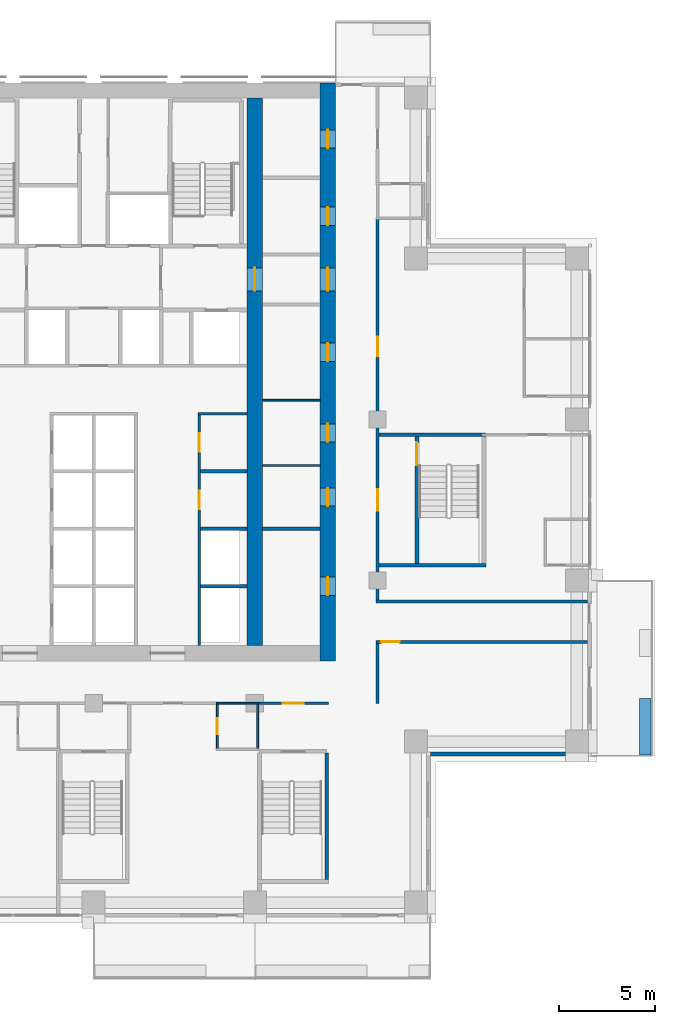
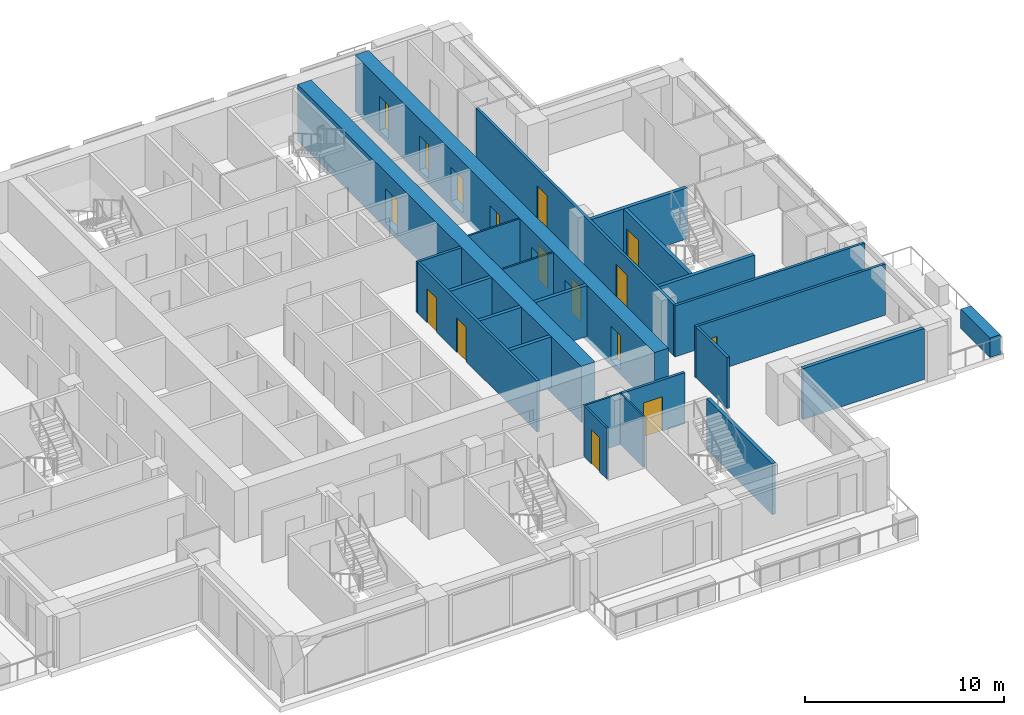
# One storey, part 11 of 18: 24 walls, 16 doors, 16 openings.
"""IFC4 building model written with IfcOpenShell, lengths in metres."""

import ifcopenshell
import ifcopenshell.guid

model = None  # the IFC model being written
_history = None  # IfcOwnerHistory: only IFC2X3 demands one
_inside = {}  # id of a spatial element -> (the spatial element, [elements in it])
_under = {}  # id of a project, library or spatial element -> (it, [spatial elements below it])
_declared = {}  # id of a project -> (the project, [libraries it declares])
_typed = {}  # id of a type object -> (the type object, [elements of that type])
_made_of = {}  # id of a material, layer set ... -> (it, [elements and type objects made of it])


def new_model(schema):
    """Start an empty IFC model of exactly this schema.

    Asked for "IFC4X3", IfcOpenShell would pick the latest addendum, in which some entities
    have other attributes; the version numbers below select the first issue.
    IFC2X3 requires an IfcOwnerHistory on every rooted entity: one is made here for all.
    """
    global model, _history
    if schema == "IFC4X3":
        model = ifcopenshell.file(schema_version=(4, 3, 0, 0))
    else:
        model = ifcopenshell.file(schema=schema)
    _inside.clear()
    _under.clear()
    _declared.clear()
    _typed.clear()
    _made_of.clear()
    _history = None
    if model.schema == "IFC2X3":
        org = make("IfcOrganization", Name="unknown")
        user = make(
            "IfcPersonAndOrganization",
            ThePerson=make("IfcPerson", FamilyName="unknown"),
            TheOrganization=org,
        )
        app = make(
            "IfcApplication",
            ApplicationDeveloper=org,
            Version="unknown",
            ApplicationFullName="unknown",
            ApplicationIdentifier="unknown",
        )
        _history = make(
            "IfcOwnerHistory",
            OwningUser=user,
            OwningApplication=app,
            ChangeAction="ADDED",
            CreationDate=0,
        )
    return model


def make(cls, **values):
    """One entity of the class cls with the attributes given. An attribute that is None is left unset."""
    return model.create_entity(
        cls, **{name: value for name, value in values.items() if value is not None}
    )


def rooted(cls, **values):
    """An entity with a GlobalId (a new one), such as an element, a storey or a relation."""
    return make(cls, GlobalId=ifcopenshell.guid.new(), OwnerHistory=_history, **values)


def si_unit(unit_type, name, prefix=None):
    """IfcSIUnit, for example si_unit("LENGTHUNIT", "METRE", prefix="MILLI")."""
    return make("IfcSIUnit", UnitType=unit_type, Prefix=prefix, Name=name)


def assignment(units):
    """IfcUnitAssignment: the units of a project."""
    return None if units is None else make("IfcUnitAssignment", Units=units)


def point(xyz):
    """IfcCartesianPoint."""
    return None if xyz is None else make("IfcCartesianPoint", Coordinates=xyz)


def direction(xyz):
    """IfcDirection."""
    return None if xyz is None else make("IfcDirection", DirectionRatios=xyz)


def frame(location, z_axis=None, x_axis=None):
    """IfcAxis2Placement3D, a coordinate frame: its origin and axes. An axis left out is left unset."""
    return make(
        "IfcAxis2Placement3D",
        Location=point(location),
        Axis=direction(z_axis),
        RefDirection=direction(x_axis),
    )


def frame_2d(location, x_axis=None):
    """IfcAxis2Placement2D, a coordinate frame in the plane: its origin and x axis."""
    return make(
        "IfcAxis2Placement2D", Location=point(location), RefDirection=direction(x_axis)
    )


def origin():
    """The frame at (0, 0, 0) with its axes left unset."""
    return frame((0.0, 0.0, 0.0))


def place(relative_to, where):
    """IfcLocalPlacement: puts the frame where relative to a parent placement (None: the world)."""
    return make(
        "IfcLocalPlacement", PlacementRelTo=relative_to, RelativePlacement=where
    )


def context(
    kind, dimensions, precision=None, world=None, true_north=None, identifier=None
):
    """IfcGeometricRepresentationContext, for example the 3D "Model" context."""
    return make(
        "IfcGeometricRepresentationContext",
        ContextIdentifier=identifier,
        ContextType=kind,
        CoordinateSpaceDimension=dimensions,
        Precision=precision,
        WorldCoordinateSystem=world,
        TrueNorth=true_north,
    )


def subcontext(parent, identifier, kind, view, scale=None):
    """IfcGeometricRepresentationSubContext, for example "Body" below "Model"."""
    return make(
        "IfcGeometricRepresentationSubContext",
        ContextIdentifier=identifier,
        ContextType=kind,
        ParentContext=parent,
        TargetScale=scale,
        TargetView=view,
    )


def project(units=None, contexts=None):
    """IfcProject with its units and contexts."""
    return rooted(
        "IfcProject",
        Name="project",
        RepresentationContexts=contexts,
        UnitsInContext=assignment(units),
    )


def spatial(cls, under=None, at=None, **own):
    """A site, building, storey or space (cls), placed at a placement, below another one or the project."""
    s = rooted(cls, ObjectPlacement=at, **own)
    if under is not None:
        _under.setdefault(under.id(), (under, []))[1].append(s)
    return s


def profile(cls, at=None, kind="AREA", **sizes):
    """A parametric profile (cls). Its sizes go by their IFC names, for example OverallWidth=200.0."""
    return make(cls, ProfileType=kind, Position=at, **sizes)


def rectangle(**sizes):
    """IfcRectangleProfileDef."""
    return profile("IfcRectangleProfileDef", **sizes)


def extrude(swept, where, along, depth):
    """IfcExtrudedAreaSolid: the profile swept, set in the frame where, extruded along a direction by depth."""
    return make(
        "IfcExtrudedAreaSolid",
        SweptArea=swept,
        Position=where,
        ExtrudedDirection=direction(along),
        Depth=depth,
    )


def shape(context_of_items, identifier, shape_type, items):
    """IfcShapeRepresentation: the items that make up one representation, for example the "Body"."""
    return make(
        "IfcShapeRepresentation",
        ContextOfItems=context_of_items,
        RepresentationIdentifier=identifier,
        RepresentationType=shape_type,
        Items=items,
    )


def material(Name=None, Category=None):
    """IfcMaterial."""
    return make("IfcMaterial", Name=Name, Category=Category)


def layer(
    of_material, thickness, ventilated=None, Name=None, Category=None, Priority=None
):
    """IfcMaterialLayer: one layer of a wall or slab, of a material (None: an air gap)."""
    return make(
        "IfcMaterialLayer",
        Material=of_material,
        LayerThickness=thickness,
        IsVentilated=ventilated,
        Name=Name,
        Category=Category,
        Priority=Priority,
    )


def layer_set(layers, Name=None):
    """IfcMaterialLayerSet."""
    return make("IfcMaterialLayerSet", MaterialLayers=layers, LayerSetName=Name)


def made_of(thing, what):
    """Note that an element or type object is made of a material, layer set ...; save() writes the relation."""
    if what is not None:
        _made_of.setdefault(what.id(), (what, []))[1].append(thing)
    return thing


def type_object(cls, material=None, **own):
    """A type object (cls), such as IfcWallType, which elements share."""
    return made_of(rooted(cls, **own), material)


def element(
    cls,
    number,
    at=None,
    inside=None,
    cuts=None,
    type_object=None,
    material=None,
    context=None,
    identifier="Body",
    shape_type=None,
    held_by="IfcProductDefinitionShape",
    body=None,
    shapes=None,
    **own,
):
    """One element of the class cls, such as IfcWall. Its Tag is "e" and its number.

    at: its placement. inside: the storey or other place that contains it. cuts: it is an
    opening in that element (IfcRelVoidsElement). A single representation is given by context,
    identifier, shape_type and body (its items); several are given by shapes. held_by: the class
    of the entity that holds the representations. save() writes the other relations.
    """
    e = rooted(cls, Tag="e%d" % number, ObjectPlacement=at, **own)
    if body is not None:
        shapes = [shape(context, identifier, shape_type, body)]
    if shapes is not None:
        e.Representation = make(held_by, Representations=shapes)
    if inside is not None:
        _inside.setdefault(inside.id(), (inside, []))[1].append(e)
    if cuts is not None:
        rooted(
            "IfcRelVoidsElement", RelatingBuildingElement=cuts, RelatedOpeningElement=e
        )
    if type_object is not None:
        _typed.setdefault(type_object.id(), (type_object, []))[1].append(e)
    return made_of(e, material)


def fill(opening, filler):
    """IfcRelFillsElement: the door or window that sits in an opening."""
    return rooted(
        "IfcRelFillsElement",
        RelatingOpeningElement=opening,
        RelatedBuildingElement=filler,
    )


def aggregate(whole, parts):
    """IfcRelAggregates: a whole, such as a stair, and the parts it consists of."""
    return rooted("IfcRelAggregates", RelatingObject=whole, RelatedObjects=parts)


def save(model, path):
    """Write the relations noted so far, then the file.

    IfcRelAggregates (storeys below a building ...), IfcRelContainedInSpatialStructure (elements
    in a storey), IfcRelDefinesByType, IfcRelAssociatesMaterial and IfcRelDeclares: one each for
    every whole, place, type object, material and project.
    """
    for whole, parts in _under.values():
        aggregate(whole, parts)
    for where, things in _inside.values():
        rooted(
            "IfcRelContainedInSpatialStructure",
            RelatedElements=things,
            RelatingStructure=where,
        )
    for kind, things in _typed.values():
        rooted("IfcRelDefinesByType", RelatedObjects=things, RelatingType=kind)
    for what, things in _made_of.values():
        rooted("IfcRelAssociatesMaterial", RelatedObjects=things, RelatingMaterial=what)
    for by, libraries in _declared.values():
        rooted("IfcRelDeclares", RelatingContext=by, RelatedDefinitions=libraries)
    model.write(path)


model = new_model("IFC4")

# Units and contexts
model_context = context("Model", 3, precision=1e-05, world=origin(), true_north=direction((0.0, 1.0)))
body_context = subcontext(model_context, "Body", "Model", "MODEL_VIEW")
ifc_project = project(units=[si_unit("LENGTHUNIT", "METRE"), si_unit("AREAUNIT", "SQUARE_METRE"), si_unit("VOLUMEUNIT", "CUBIC_METRE"), si_unit("PLANEANGLEUNIT", "RADIAN"), si_unit("MASSUNIT", "GRAM", prefix="KILO")], contexts=[model_context])

# Site, building, storey
site_placement = place(None, origin())
site = spatial("IfcSite", under=ifc_project, at=site_placement, CompositionType="ELEMENT")
building_placement = place(site_placement, origin())
building = spatial("IfcBuilding", under=site, at=building_placement, Name="Vermilion Ogive Tower", CompositionType="ELEMENT")
storey_placement = place(building_placement, frame((0.0, 0.0, 94.199951171875)))
storey = spatial("IfcBuildingStorey", under=building, at=storey_placement, Name="L23", CompositionType="ELEMENT", Elevation=94.199951171875)

# Wall, openings, doors
ifc_material_1 = material(Name="Concrete B80", Category="concrete")
ifc_layer_1 = layer(ifc_material_1, 0.800048828125)
ifc_layer_set_1 = layer_set([ifc_layer_1], Name="Core wall 800 B80")
wall_type_1 = type_object("IfcWallType", Name="Core wall 800 B80", PredefinedType="SHEAR", material=ifc_layer_set_1)
wall_1_placement = place(storey_placement, frame((12.199951171875, -8.39990234375, -0.320068359375), z_axis=(0.0, 0.0, 1.0), x_axis=(0.0, 1.0, 0.0)))
wall_1 = element("IfcWall", 1, at=wall_1_placement, inside=storey, type_object=wall_type_1, Name="L23-CORE-E", PredefinedType="SHEAR", context=body_context, shape_type="SweptSolid", body=[
    extrude(rectangle(XDim=30.14990234375, YDim=0.800048828125, at=frame_2d((15.074951171875, 0.0))), origin(), (0.0, 0.0, 1.0), 3.4501953125),
])
opening_1_placement = place(wall_1_placement, frame((3.425048828125, 0.0, 0.320068359375)))
opening_1 = element("IfcOpeningElement", 2, at=opening_1_placement, cuts=wall_1, Name="Opening DAC039", PredefinedType="OPENING", context=body_context, shape_type="SweptSolid", body=[
    extrude(rectangle(XDim=0.949951171875, YDim=2.10009765625, at=frame_2d((0.47509765625, 1.050048828125))), frame((0.0, 0.409912109375, 0.0), z_axis=(0.0, -1.0, 0.0), x_axis=(1.0, 0.0, 0.0)), (0.0, 0.0, 1.0), 0.820068359375),
])
opening_2_placement = place(wall_1_placement, frame((8.074951171875, 0.0, 0.320068359375)))
opening_2 = element("IfcOpeningElement", 3, at=opening_2_placement, cuts=wall_1, Name="Opening DAC040", PredefinedType="OPENING", context=body_context, shape_type="SweptSolid", body=[
    extrude(rectangle(XDim=0.949951171875, YDim=2.10009765625, at=frame_2d((0.47509765625, 1.050048828125))), frame((0.0, 0.409912109375, 0.0), z_axis=(0.0, -1.0, 0.0), x_axis=(1.0, 0.0, 0.0)), (0.0, 0.0, 1.0), 0.820068359375),
])
opening_3_placement = place(wall_1_placement, frame((11.425048828125, 0.0, 0.320068359375)))
opening_3 = element("IfcOpeningElement", 4, at=opening_3_placement, cuts=wall_1, Name="Opening DAC041", PredefinedType="OPENING", context=body_context, shape_type="SweptSolid", body=[
    extrude(rectangle(XDim=0.949951171875, YDim=2.10009765625, at=frame_2d((0.47509765625, 1.050048828125))), frame((0.0, 0.409912109375, 0.0), z_axis=(0.0, -1.0, 0.0), x_axis=(1.0, 0.0, 0.0)), (0.0, 0.0, 1.0), 0.820068359375),
])
opening_4_placement = place(wall_1_placement, frame((15.625, 0.0, 0.320068359375)))
opening_4 = element("IfcOpeningElement", 5, at=opening_4_placement, cuts=wall_1, Name="Opening DAC042", PredefinedType="OPENING", context=body_context, shape_type="SweptSolid", body=[
    extrude(rectangle(XDim=0.949951171875, YDim=2.10009765625, at=frame_2d((0.47509765625, 1.050048828125))), frame((0.0, 0.409912109375, 0.0), z_axis=(0.0, -1.0, 0.0), x_axis=(1.0, 0.0, 0.0)), (0.0, 0.0, 1.0), 0.820068359375),
])
opening_5_placement = place(wall_1_placement, frame((22.72509765625, 0.0, 0.320068359375)))
opening_5 = element("IfcOpeningElement", 6, at=opening_5_placement, cuts=wall_1, Name="Opening DAC043", PredefinedType="OPENING", context=body_context, shape_type="SweptSolid", body=[
    extrude(rectangle(XDim=0.949951171875, YDim=2.10009765625, at=frame_2d((0.47509765625, 1.050048828125))), frame((0.0, 0.409912109375, 0.0), z_axis=(0.0, -1.0, 0.0), x_axis=(1.0, 0.0, 0.0)), (0.0, 0.0, 1.0), 0.820068359375),
])
opening_6_placement = place(wall_1_placement, frame((26.75, 0.0, 0.320068359375)))
opening_6 = element("IfcOpeningElement", 7, at=opening_6_placement, cuts=wall_1, Name="Opening DAC044", PredefinedType="OPENING", context=body_context, shape_type="SweptSolid", body=[
    extrude(rectangle(XDim=0.949951171875, YDim=2.10009765625, at=frame_2d((0.47509765625, 1.050048828125))), frame((0.0, 0.409912109375, 0.0), z_axis=(0.0, -1.0, 0.0), x_axis=(1.0, 0.0, 0.0)), (0.0, 0.0, 1.0), 0.820068359375),
])
opening_7_placement = place(wall_1_placement, frame((19.300048828125, 0.0, 0.320068359375)))
opening_7 = element("IfcOpeningElement", 8, at=opening_7_placement, cuts=wall_1, Name="Opening DAL008", PredefinedType="OPENING", context=body_context, shape_type="SweptSolid", body=[
    extrude(rectangle(XDim=1.199951171875, YDim=2.10009765625, at=frame_2d((0.60009765625, 1.050048828125))), frame((0.0, 0.409912109375, 0.0), z_axis=(0.0, -1.0, 0.0), x_axis=(1.0, 0.0, 0.0)), (0.0, 0.0, 1.0), 0.820068359375),
])
ifc_material_2 = material(Name="Timber door leaf", Category="wood")
door_type_1 = type_object("IfcDoorType", Name="Link door 1200 x 2100 FD60S", OperationType="SINGLE_SWING_LEFT", PredefinedType="DOOR", material=ifc_material_2)
door_1_placement = place(opening_7_placement, origin())
door_1 = element("IfcDoor", 9, at=door_1_placement, inside=storey, type_object=door_type_1, Name="L23-CKE-XL", OperationType="SINGLE_SWING_LEFT", OverallHeight=2.10009765625, OverallWidth=1.199951171875, PredefinedType="DOOR", context=body_context, shape_type="SweptSolid", body=[
    extrude(rectangle(XDim=1.199951171875, YDim=2.10009765625, at=frame_2d((0.60009765625, 1.050048828125))), frame((0.0, 0.02490234375, 0.0), z_axis=(0.0, -1.0, 0.0), x_axis=(1.0, 0.0, 0.0)), (0.0, 0.0, 1.0), 0.050048828125),
])
fill(opening_7, door_1)
ifc_material_3 = material(Name="Timber door leaf", Category="wood")
door_type_2 = type_object("IfcDoorType", Name="Service door 950 x 2100 FD60", OperationType="SINGLE_SWING_LEFT", PredefinedType="DOOR", material=ifc_material_3)
door_2_placement = place(opening_1_placement, origin())
door_2 = element("IfcDoor", 10, at=door_2_placement, inside=storey, type_object=door_type_2, Name="L23-CKE-XR0", OperationType="SINGLE_SWING_LEFT", OverallHeight=2.10009765625, OverallWidth=0.949951171875, PredefinedType="DOOR", context=body_context, shape_type="SweptSolid", body=[
    extrude(rectangle(XDim=0.949951171875, YDim=2.10009765625, at=frame_2d((0.47509765625, 1.050048828125))), frame((0.0, 0.02490234375, 0.0), z_axis=(0.0, -1.0, 0.0), x_axis=(1.0, 0.0, 0.0)), (0.0, 0.0, 1.0), 0.050048828125),
])
fill(opening_1, door_2)
door_3_placement = place(opening_2_placement, origin())
door_3 = element("IfcDoor", 11, at=door_3_placement, inside=storey, type_object=door_type_2, Name="L23-CKE-XR1", OperationType="SINGLE_SWING_LEFT", OverallHeight=2.10009765625, OverallWidth=0.949951171875, PredefinedType="DOOR", context=body_context, shape_type="SweptSolid", body=[
    extrude(rectangle(XDim=0.949951171875, YDim=2.10009765625, at=frame_2d((0.47509765625, 1.050048828125))), frame((0.0, 0.02490234375, 0.0), z_axis=(0.0, -1.0, 0.0), x_axis=(1.0, 0.0, 0.0)), (0.0, 0.0, 1.0), 0.050048828125),
])
fill(opening_2, door_3)
door_4_placement = place(opening_3_placement, origin())
door_4 = element("IfcDoor", 12, at=door_4_placement, inside=storey, type_object=door_type_2, Name="L23-CKE-XR2", OperationType="SINGLE_SWING_LEFT", OverallHeight=2.10009765625, OverallWidth=0.949951171875, PredefinedType="DOOR", context=body_context, shape_type="SweptSolid", body=[
    extrude(rectangle(XDim=0.949951171875, YDim=2.10009765625, at=frame_2d((0.47509765625, 1.050048828125))), frame((0.0, 0.02490234375, 0.0), z_axis=(0.0, -1.0, 0.0), x_axis=(1.0, 0.0, 0.0)), (0.0, 0.0, 1.0), 0.050048828125),
])
fill(opening_3, door_4)
door_5_placement = place(opening_4_placement, origin())
door_5 = element("IfcDoor", 13, at=door_5_placement, inside=storey, type_object=door_type_2, Name="L23-CKE-XR3", OperationType="SINGLE_SWING_LEFT", OverallHeight=2.10009765625, OverallWidth=0.949951171875, PredefinedType="DOOR", context=body_context, shape_type="SweptSolid", body=[
    extrude(rectangle(XDim=0.949951171875, YDim=2.10009765625, at=frame_2d((0.47509765625, 1.050048828125))), frame((0.0, 0.02490234375, 0.0), z_axis=(0.0, -1.0, 0.0), x_axis=(1.0, 0.0, 0.0)), (0.0, 0.0, 1.0), 0.050048828125),
])
fill(opening_4, door_5)
door_6_placement = place(opening_5_placement, origin())
door_6 = element("IfcDoor", 14, at=door_6_placement, inside=storey, type_object=door_type_2, Name="L23-CKE-XR4", OperationType="SINGLE_SWING_LEFT", OverallHeight=2.10009765625, OverallWidth=0.949951171875, PredefinedType="DOOR", context=body_context, shape_type="SweptSolid", body=[
    extrude(rectangle(XDim=0.949951171875, YDim=2.10009765625, at=frame_2d((0.47509765625, 1.050048828125))), frame((0.0, 0.02490234375, 0.0), z_axis=(0.0, -1.0, 0.0), x_axis=(1.0, 0.0, 0.0)), (0.0, 0.0, 1.0), 0.050048828125),
])
fill(opening_5, door_6)
door_7_placement = place(opening_6_placement, origin())
door_7 = element("IfcDoor", 15, at=door_7_placement, inside=storey, type_object=door_type_2, Name="L23-CKE-XR5", OperationType="SINGLE_SWING_LEFT", OverallHeight=2.10009765625, OverallWidth=0.949951171875, PredefinedType="DOOR", context=body_context, shape_type="SweptSolid", body=[
    extrude(rectangle(XDim=0.949951171875, YDim=2.10009765625, at=frame_2d((0.47509765625, 1.050048828125))), frame((0.0, 0.02490234375, 0.0), z_axis=(0.0, -1.0, 0.0), x_axis=(1.0, 0.0, 0.0)), (0.0, 0.0, 1.0), 0.050048828125),
])
fill(opening_6, door_7)

# Wall, opening, door
wall_2_placement = place(storey_placement, frame((8.39990234375, -7.60009765625, -0.320068359375), z_axis=(0.0, 0.0, 1.0), x_axis=(0.0, 1.0, 0.0)))
wall_2 = element("IfcWall", 16, at=wall_2_placement, inside=storey, type_object=wall_type_1, Name="L23-CORE-WEB2", PredefinedType="SHEAR", context=body_context, shape_type="SweptSolid", body=[
    extrude(rectangle(XDim=28.550048828125, YDim=0.800048828125, at=frame_2d((14.27490234375, 0.0))), origin(), (0.0, 0.0, 1.0), 3.4501953125),
])
opening_8_placement = place(wall_2_placement, frame((18.5, 0.0, 0.320068359375)))
opening_8 = element("IfcOpeningElement", 17, at=opening_8_placement, cuts=wall_2, Name="Opening DAO008", PredefinedType="OPENING", context=body_context, shape_type="SweptSolid", body=[
    extrude(rectangle(XDim=1.199951171875, YDim=2.10009765625, at=frame_2d((0.60009765625, 1.050048828125))), frame((0.0, 0.409912109375, 0.0), z_axis=(0.0, -1.0, 0.0), x_axis=(1.0, 0.0, 0.0)), (0.0, 0.0, 1.0), 0.820068359375),
])
door_8_placement = place(opening_8_placement, origin())
door_8 = element("IfcDoor", 18, at=door_8_placement, inside=storey, type_object=door_type_1, Name="L23-CKE-XW", OperationType="SINGLE_SWING_LEFT", OverallHeight=2.10009765625, OverallWidth=1.199951171875, PredefinedType="DOOR", context=body_context, shape_type="SweptSolid", body=[
    extrude(rectangle(XDim=1.199951171875, YDim=2.10009765625, at=frame_2d((0.60009765625, 1.050048828125))), frame((0.0, 0.02490234375, 0.0), z_axis=(0.0, -1.0, 0.0), x_axis=(1.0, 0.0, 0.0)), (0.0, 0.0, 1.0), 0.050048828125),
])
fill(opening_8, door_8)

# Wall
ifc_material_4 = material(Name="Gypsum board partition on steel studs", Category="steel")
ifc_layer_2 = layer(ifc_material_4, 0.10009765625)
ifc_layer_set_2 = layer_set([ifc_layer_2], Name="Partition 100 bath")
wall_type_2 = type_object("IfcWallType", Name="Partition 100 bath", PredefinedType="PARTITIONING", material=ifc_layer_set_2)
wall_3_placement = place(storey_placement, frame((6.39990234375, -10.60009765625, 0.0), z_axis=(0.0, 0.0, 1.0), x_axis=(1.0, 0.0, 0.0)))
element("IfcWall", 19, at=wall_3_placement, inside=storey, type_object=wall_type_2, Name="L23-W-W011", PredefinedType="PARTITIONING", context=body_context, shape_type="SweptSolid", body=[
    extrude(rectangle(XDim=2.2001953125, YDim=0.10009765625, at=frame_2d((1.10009765625, 0.0))), origin(), (0.0, 0.0, 1.0), 3.130126953125),
])

# Wall, opening, door
wall_4_placement = place(storey_placement, frame((6.449951171875, -12.949951171875, 0.0), z_axis=(0.0, 0.0, 1.0), x_axis=(0.0, 1.0, 0.0)))
wall_4 = element("IfcWall", 20, at=wall_4_placement, inside=storey, type_object=wall_type_2, Name="L23-W-W055", PredefinedType="PARTITIONING", context=body_context, shape_type="SweptSolid", body=[
    extrude(rectangle(XDim=2.27490234375, YDim=0.10009765625, at=frame_2d((1.137451171875, 0.0))), origin(), (0.0, 0.0, 1.0), 3.130126953125),
])
opening_9_placement = place(wall_4_placement, frame((0.724853515625, 0.0, 0.0)))
opening_9 = element("IfcOpeningElement", 21, at=opening_9_placement, cuts=wall_4, Name="Opening D2G2013", PredefinedType="OPENING", context=body_context, shape_type="SweptSolid", body=[
    extrude(rectangle(XDim=0.85009765625, YDim=2.10009765625, at=frame_2d((0.425048828125, 1.050048828125))), frame((0.0, 0.06005859375, 0.0), z_axis=(0.0, -1.0, 0.0), x_axis=(1.0, 0.0, 0.0)), (0.0, 0.0, 1.0), 0.1201171875),
])
ifc_material_5 = material(Name="Timber door leaf", Category="wood")
door_type_3 = type_object("IfcDoorType", Name="Bath door 850 x 2100 FD30", OperationType="SINGLE_SWING_LEFT", PredefinedType="DOOR", material=ifc_material_5)
door_9_placement = place(opening_9_placement, origin())
door_9 = element("IfcDoor", 22, at=door_9_placement, inside=storey, type_object=door_type_3, Name="L23-D-D013", OperationType="SINGLE_SWING_RIGHT", OverallHeight=2.10009765625, OverallWidth=0.85009765625, PredefinedType="DOOR", context=body_context, shape_type="SweptSolid", body=[
    extrude(rectangle(XDim=0.85009765625, YDim=2.10009765625, at=frame_2d((0.425048828125, 1.050048828125))), frame((0.0, 0.02490234375, 0.0), z_axis=(0.0, -1.0, 0.0), x_axis=(1.0, 0.0, 0.0)), (0.0, 0.0, 1.0), 0.050048828125),
])
fill(opening_9, door_9)

# Walls
wall_5_placement = place(storey_placement, frame((8.550048828125, -12.949951171875, 0.0), z_axis=(0.0, 0.0, 1.0), x_axis=(0.0, 1.0, 0.0)))
element("IfcWall", 23, at=wall_5_placement, inside=storey, type_object=wall_type_2, Name="L23-W-W056", PredefinedType="PARTITIONING", context=body_context, shape_type="SweptSolid", body=[
    extrude(rectangle(XDim=2.27490234375, YDim=0.10009765625, at=frame_2d((1.137451171875, 0.0))), origin(), (0.0, 0.0, 1.0), 3.130126953125),
])
for number, where, z_axis, x_axis, name in (
    (24, (8.801025390625, 1.800048828125, 0.0), (0.0, 0.0, 1.0), (1.0, 0.0, 0.0), "L23-CKE-W-W002"),
    (25, (8.801025390625, 5.199951171875, 0.0), (0.0, 0.0, 1.0), (1.0, 0.0, 0.0), "L23-CKE-W-W003"),
):
    element("IfcWall", number, at=place(storey_placement, frame(where, z_axis=z_axis, x_axis=x_axis)), inside=storey, type_object=wall_type_2, Name=name, PredefinedType="PARTITIONING", context=body_context, shape_type="SweptSolid", body=[
        extrude(rectangle(XDim=2.998046875, YDim=0.10009765625, at=frame_2d((1.4990234375, 0.0))), origin(), (0.0, 0.0, 1.0), 3.130126953125),
    ])

# Wall, opening, door
ifc_material_6 = material(Name="Gypsum board partition on steel studs", Category="steel")
ifc_layer_3 = layer(ifc_material_6, 0.14990234375)
ifc_layer_set_3 = layer_set([ifc_layer_3], Name="Partition 150 corridor")
wall_type_3 = type_object("IfcWallType", Name="Partition 150 corridor", PredefinedType="PARTITIONING", material=ifc_layer_set_3)
wall_6_placement = place(storey_placement, frame((8.5, -10.60009765625, 0.0), z_axis=(0.0, 0.0, 1.0), x_axis=(1.0, 0.0, 0.0)))
wall_6 = element("IfcWall", 26, at=wall_6_placement, inside=storey, type_object=wall_type_3, Name="L23-W-W012", PredefinedType="PARTITIONING", context=body_context, shape_type="SweptSolid", body=[
    extrude(rectangle(XDim=3.75, YDim=0.14990234375, at=frame_2d((1.875, 0.0))), origin(), (0.0, 0.0, 1.0), 3.130126953125),
])
opening_10_placement = place(wall_6_placement, frame((1.35009765625, 0.0, 0.0)))
opening_10 = element("IfcOpeningElement", 27, at=opening_10_placement, cuts=wall_6, Name="Opening D2G2026", PredefinedType="OPENING", context=body_context, shape_type="SweptSolid", body=[
    extrude(rectangle(XDim=1.10009765625, YDim=2.10009765625, at=frame_2d((0.550048828125, 1.050048828125))), frame((0.0, 0.0849609375, 0.0), z_axis=(0.0, -1.0, 0.0), x_axis=(1.0, 0.0, 0.0)), (0.0, 0.0, 1.0), 0.169921875),
])
ifc_material_7 = material(Name="Timber door leaf", Category="wood")
door_type_4 = type_object("IfcDoorType", Name="Stair door 1100 x 2100 FD60S", OperationType="SINGLE_SWING_LEFT", PredefinedType="DOOR", material=ifc_material_7)
door_10_placement = place(opening_10_placement, origin())
door_10 = element("IfcDoor", 28, at=door_10_placement, inside=storey, type_object=door_type_4, Name="L23-D-D026", OperationType="SINGLE_SWING_RIGHT", OverallHeight=2.10009765625, OverallWidth=1.10009765625, PredefinedType="DOOR", context=body_context, shape_type="SweptSolid", body=[
    extrude(rectangle(XDim=1.10009765625, YDim=2.10009765625, at=frame_2d((0.550048828125, 1.050048828125))), frame((0.0, 0.02490234375, 0.0), z_axis=(0.0, -1.0, 0.0), x_axis=(1.0, 0.0, 0.0)), (0.0, 0.0, 1.0), 0.050048828125),
])
fill(opening_10, door_10)

wall_7_placement = place(storey_placement, frame((14.72509765625, -7.39990234375, 0.0), z_axis=(0.0, 0.0, 1.0), x_axis=(1.0, 0.0, 0.0)))
wall_7 = element("IfcWall", 29, at=wall_7_placement, inside=storey, type_object=wall_type_3, Name="L23-W-W014", PredefinedType="PARTITIONING", context=body_context, shape_type="SweptSolid", body=[
    extrude(rectangle(XDim=11.02490234375, YDim=0.14990234375, at=frame_2d((5.512451171875, 0.0))), origin(), (0.0, 0.0, 1.0), 3.130126953125),
])
opening_11_placement = place(wall_7_placement, frame((0.27490234375, 0.0, 0.0)))
opening_11 = element("IfcOpeningElement", 30, at=opening_11_placement, cuts=wall_7, Name="Opening D2G2014", PredefinedType="OPENING", context=body_context, shape_type="SweptSolid", body=[
    extrude(rectangle(XDim=0.949951171875, YDim=2.10009765625, at=frame_2d((0.47509765625, 1.050048828125))), frame((0.0, 0.0849609375, 0.0), z_axis=(0.0, -1.0, 0.0), x_axis=(1.0, 0.0, 0.0)), (0.0, 0.0, 1.0), 0.169921875),
])
ifc_material_8 = material(Name="Timber door leaf", Category="wood")
door_type_5 = type_object("IfcDoorType", Name="Unit door 950 x 2100 FD30S", OperationType="SINGLE_SWING_LEFT", PredefinedType="DOOR", material=ifc_material_8)
door_11_placement = place(opening_11_placement, origin())
door_11 = element("IfcDoor", 31, at=door_11_placement, inside=storey, type_object=door_type_5, Name="L23-D-D014", OperationType="SINGLE_SWING_RIGHT", OverallHeight=2.10009765625, OverallWidth=0.949951171875, PredefinedType="DOOR", context=body_context, shape_type="SweptSolid", body=[
    extrude(rectangle(XDim=0.949951171875, YDim=2.10009765625, at=frame_2d((0.47509765625, 1.050048828125))), frame((0.0, 0.02490234375, 0.0), z_axis=(0.0, -1.0, 0.0), x_axis=(1.0, 0.0, 0.0)), (0.0, 0.0, 1.0), 0.050048828125),
])
fill(opening_11, door_11)

# Walls
wall_8_placement = place(storey_placement, frame((14.72705078125, -5.300048828125, 0.0), z_axis=(0.0, 0.0, 1.0), x_axis=(1.0, 0.0, 0.0)))
element("IfcWall", 32, at=wall_8_placement, inside=storey, type_object=wall_type_3, Name="L23-W-W016", PredefinedType="PARTITIONING", context=body_context, shape_type="SweptSolid", body=[
    extrude(rectangle(XDim=11.02294921875, YDim=0.14990234375, at=frame_2d((5.511474609375, 0.0))), origin(), (0.0, 0.0, 1.0), 3.130126953125),
])
wall_9_placement = place(storey_placement, frame((14.800048828125, -10.60009765625, 0.0), z_axis=(0.0, 0.0, 1.0), x_axis=(0.0, 1.0, 0.0)))
element("IfcWall", 33, at=wall_9_placement, inside=storey, type_object=wall_type_3, Name="L23-W-W057", PredefinedType="PARTITIONING", context=body_context, shape_type="SweptSolid", body=[
    extrude(rectangle(XDim=3.125, YDim=0.14990234375, at=frame_2d((1.5625, 0.0))), origin(), (0.0, 0.0, 1.0), 3.130126953125),
])

# Wall, openings, doors
wall_10_placement = place(storey_placement, frame((14.800048828125, -5.222900390625, 0.0), z_axis=(0.0, 0.0, 1.0), x_axis=(0.0, 1.0, 0.0)))
wall_10 = element("IfcWall", 34, at=wall_10_placement, inside=storey, type_object=wall_type_3, Name="L23-W-W058", PredefinedType="PARTITIONING", context=body_context, shape_type="SweptSolid", body=[
    extrude(rectangle(XDim=19.872802734375, YDim=0.14990234375, at=frame_2d((9.9365234375, 0.0))), origin(), (0.0, 0.0, 1.0), 3.130126953125),
])
opening_12_placement = place(wall_10_placement, frame((12.722900390625, 0.0, 0.0)))
opening_12 = element("IfcOpeningElement", 35, at=opening_12_placement, cuts=wall_10, Name="Opening D2G2017", PredefinedType="OPENING", context=body_context, shape_type="SweptSolid", body=[
    extrude(rectangle(XDim=1.0, YDim=2.10009765625, at=frame_2d((0.5, 1.050048828125))), frame((0.0, 0.0849609375, 0.0), z_axis=(0.0, -1.0, 0.0), x_axis=(1.0, 0.0, 0.0)), (0.0, 0.0, 1.0), 0.169921875),
])
opening_13_placement = place(wall_10_placement, frame((4.6728515625, 0.0, 0.0)))
opening_13 = element("IfcOpeningElement", 36, at=opening_13_placement, cuts=wall_10, Name="Opening D2G2028", PredefinedType="OPENING", context=body_context, shape_type="SweptSolid", body=[
    extrude(rectangle(XDim=1.10009765625, YDim=2.10009765625, at=frame_2d((0.550048828125, 1.050048828125))), frame((0.0, 0.0849609375, 0.0), z_axis=(0.0, -1.0, 0.0), x_axis=(1.0, 0.0, 0.0)), (0.0, 0.0, 1.0), 0.169921875),
])
door_12_placement = place(opening_13_placement, origin())
door_12 = element("IfcDoor", 37, at=door_12_placement, inside=storey, type_object=door_type_4, Name="L23-D-D028", OperationType="SINGLE_SWING_RIGHT", OverallHeight=2.10009765625, OverallWidth=1.10009765625, PredefinedType="DOOR", context=body_context, shape_type="SweptSolid", body=[
    extrude(rectangle(XDim=1.10009765625, YDim=2.10009765625, at=frame_2d((0.550048828125, 1.050048828125))), frame((0.0, 0.02490234375, 0.0), z_axis=(0.0, -1.0, 0.0), x_axis=(1.0, 0.0, 0.0)), (0.0, 0.0, 1.0), 0.050048828125),
])
fill(opening_13, door_12)
ifc_material_9 = material(Name="Timber door leaf", Category="wood")
door_type_6 = type_object("IfcDoorType", Name="Unit door 1000 x 2100 FD30S", OperationType="SINGLE_SWING_LEFT", PredefinedType="DOOR", material=ifc_material_9)
door_13_placement = place(opening_12_placement, origin())
door_13 = element("IfcDoor", 38, at=door_13_placement, inside=storey, type_object=door_type_6, Name="L23-D-D017", OperationType="SINGLE_SWING_LEFT", OverallHeight=2.10009765625, OverallWidth=1.0, PredefinedType="DOOR", context=body_context, shape_type="SweptSolid", body=[
    extrude(rectangle(XDim=1.0, YDim=2.10009765625, at=frame_2d((0.5, 1.050048828125))), frame((0.0, 0.02490234375, 0.0), z_axis=(0.0, -1.0, 0.0), x_axis=(1.0, 0.0, 0.0)), (0.0, 0.0, 1.0), 0.050048828125),
])
fill(opening_12, door_13)

# Wall
wall_11_placement = place(storey_placement, frame((5.425048828125, 4.5, 0.0), z_axis=(0.0, 0.0, 1.0), x_axis=(1.0, 0.0, 0.0)))
element("IfcWall", 39, at=wall_11_placement, inside=storey, type_object=wall_type_3, Name="L23-CK-W-W012", PredefinedType="PARTITIONING", context=body_context, shape_type="SweptSolid", body=[
    extrude(rectangle(XDim=2.573974609375, YDim=0.14990234375, at=frame_2d((1.287109375, 0.0))), origin(), (0.0, 0.0, 1.0), 3.130126953125),
])

# Wall, openings, doors
wall_12_placement = place(storey_placement, frame((5.5, -7.59912109375, 0.0), z_axis=(0.0, 0.0, 1.0), x_axis=(0.0, 1.0, 0.0)))
wall_12 = element("IfcWall", 40, at=wall_12_placement, inside=storey, type_object=wall_type_3, Name="L23-CK-W-W040", PredefinedType="PARTITIONING", context=body_context, shape_type="SweptSolid", body=[
    extrude(rectangle(XDim=12.024169921875, YDim=0.14990234375, at=frame_2d((6.01220703125, 0.0))), origin(), (0.0, 0.0, 1.0), 3.130126953125),
])
opening_14_placement = place(wall_12_placement, frame((7.1240234375, 0.0, 0.0)))
opening_14 = element("IfcOpeningElement", 41, at=opening_14_placement, cuts=wall_12, Name="Opening DAA166", PredefinedType="OPENING", context=body_context, shape_type="SweptSolid", body=[
    extrude(rectangle(XDim=0.949951171875, YDim=2.10009765625, at=frame_2d((0.47509765625, 1.050048828125))), frame((0.0, 0.0849609375, 0.0), z_axis=(0.0, -1.0, 0.0), x_axis=(1.0, 0.0, 0.0)), (0.0, 0.0, 1.0), 0.169921875),
])
opening_15_placement = place(wall_12_placement, frame((10.1240234375, 0.0, 0.0)))
opening_15 = element("IfcOpeningElement", 42, at=opening_15_placement, cuts=wall_12, Name="Opening DAA167", PredefinedType="OPENING", context=body_context, shape_type="SweptSolid", body=[
    extrude(rectangle(XDim=0.949951171875, YDim=2.10009765625, at=frame_2d((0.47509765625, 1.050048828125))), frame((0.0, 0.0849609375, 0.0), z_axis=(0.0, -1.0, 0.0), x_axis=(1.0, 0.0, 0.0)), (0.0, 0.0, 1.0), 0.169921875),
])
door_14_placement = place(opening_14_placement, origin())
door_14 = element("IfcDoor", 43, at=door_14_placement, inside=storey, type_object=door_type_2, Name="L23-CK-D-D009", OperationType="SINGLE_SWING_RIGHT", OverallHeight=2.10009765625, OverallWidth=0.949951171875, PredefinedType="DOOR", context=body_context, shape_type="SweptSolid", body=[
    extrude(rectangle(XDim=0.949951171875, YDim=2.10009765625, at=frame_2d((0.47509765625, 1.050048828125))), frame((0.0, 0.02490234375, 0.0), z_axis=(0.0, -1.0, 0.0), x_axis=(1.0, 0.0, 0.0)), (0.0, 0.0, 1.0), 0.050048828125),
])
fill(opening_14, door_14)
door_15_placement = place(opening_15_placement, origin())
door_15 = element("IfcDoor", 44, at=door_15_placement, inside=storey, type_object=door_type_2, Name="L23-CK-D-D010", OperationType="SINGLE_SWING_RIGHT", OverallHeight=2.10009765625, OverallWidth=0.949951171875, PredefinedType="DOOR", context=body_context, shape_type="SweptSolid", body=[
    extrude(rectangle(XDim=0.949951171875, YDim=2.10009765625, at=frame_2d((0.47509765625, 1.050048828125))), frame((0.0, 0.02490234375, 0.0), z_axis=(0.0, -1.0, 0.0), x_axis=(1.0, 0.0, 0.0)), (0.0, 0.0, 1.0), 0.050048828125),
])
fill(opening_15, door_15)

# Walls
ifc_material_10 = material(Name="Gypsum board partition on steel studs", Category="steel")
ifc_layer_4 = layer(ifc_material_10, 0.199951171875)
ifc_layer_set_4 = layer_set([ifc_layer_4], Name="Partition 200 party")
wall_type_4 = type_object("IfcWallType", Name="Partition 200 party", PredefinedType="PARTITIONING", material=ifc_layer_set_4)
for number, where, z_axis, x_axis, name in (
    (45, (5.574951171875, -4.5, 0.0), (0.0, 0.0, 1.0), (1.0, 0.0, 0.0), "L23-CK-W-W003"),
    (46, (5.574951171875, -1.5, 0.0), (0.0, 0.0, 1.0), (1.0, 0.0, 0.0), "L23-CK-W-W006"),
    (47, (5.574951171875, 1.5, 0.0), (0.0, 0.0, 1.0), (1.0, 0.0, 0.0), "L23-CK-W-W009"),
):
    element("IfcWall", number, at=place(storey_placement, frame(where, z_axis=z_axis, x_axis=x_axis)), inside=storey, type_object=wall_type_4, Name=name, PredefinedType="PARTITIONING", context=body_context, shape_type="SweptSolid", body=[
        extrude(rectangle(XDim=2.424072265625, YDim=0.199951171875, at=frame_2d((1.2119140625, 0.0))), origin(), (0.0, 0.0, 1.0), 3.130126953125),
    ])
wall_13_placement = place(storey_placement, frame((8.801025390625, -1.5, 0.0), z_axis=(0.0, 0.0, 1.0), x_axis=(1.0, 0.0, 0.0)))
element("IfcWall", 48, at=wall_13_placement, inside=storey, type_object=wall_type_4, Name="L23-CKE-W-W001", PredefinedType="PARTITIONING", context=body_context, shape_type="SweptSolid", body=[
    extrude(rectangle(XDim=2.998046875, YDim=0.199951171875, at=frame_2d((1.4990234375, 0.0))), origin(), (0.0, 0.0, 1.0), 3.130126953125),
])
ifc_material_11 = material(Name="Concrete B60", Category="concrete")
ifc_layer_5 = layer(ifc_material_11, 0.199951171875)
ifc_layer_set_5 = layer_set([ifc_layer_5], Name="Stair shaft wall 200 Concrete B60")
wall_type_5 = type_object("IfcWallType", Name="Stair shaft wall 200 Concrete B60", PredefinedType="SOLIDWALL", material=ifc_layer_set_5)
wall_14_placement = place(storey_placement, frame((14.876953125, -3.39990234375, 0.0), z_axis=(0.0, 0.0, 1.0), x_axis=(1.0, 0.0, 0.0)))
element("IfcWall", 49, at=wall_14_placement, inside=storey, type_object=wall_type_5, Name="L23-W-W019", PredefinedType="SOLIDWALL", context=body_context, shape_type="SweptSolid", body=[
    extrude(rectangle(XDim=5.571044921875, YDim=0.199951171875, at=frame_2d((2.78564453125, 0.0))), origin(), (0.0, 0.0, 1.0), 3.130126953125),
])
wall_15_placement = place(storey_placement, frame((14.875, 3.39990234375, 0.0), z_axis=(0.0, 0.0, 1.0), x_axis=(1.0, 0.0, 0.0)))
element("IfcWall", 50, at=wall_15_placement, inside=storey, type_object=wall_type_5, Name="L23-W-W025", PredefinedType="SOLIDWALL", context=body_context, shape_type="SweptSolid", body=[
    extrude(rectangle(XDim=5.574951171875, YDim=0.199951171875, at=frame_2d((2.78759765625, 0.0))), origin(), (0.0, 0.0, 1.0), 3.130126953125),
])

# Wall, opening, door
wall_16_placement = place(storey_placement, frame((16.85009765625, -3.300048828125, 0.0), z_axis=(0.0, 0.0, 1.0), x_axis=(0.0, 1.0, 0.0)))
wall_16 = element("IfcWall", 51, at=wall_16_placement, inside=storey, type_object=wall_type_5, Name="L23-W-W061", PredefinedType="SOLIDWALL", context=body_context, shape_type="SweptSolid", body=[
    extrude(rectangle(XDim=6.60009765625, YDim=0.199951171875, at=frame_2d((3.300048828125, 0.0))), origin(), (0.0, 0.0, 1.0), 3.130126953125),
])
opening_16_placement = place(wall_16_placement, frame((5.10009765625, 0.0, 0.0)))
opening_16 = element("IfcOpeningElement", 52, at=opening_16_placement, cuts=wall_16, Name="Opening D2G2029", PredefinedType="OPENING", context=body_context, shape_type="SweptSolid", body=[
    extrude(rectangle(XDim=1.199951171875, YDim=2.10009765625, at=frame_2d((0.60009765625, 1.050048828125))), frame((0.0, 0.10986328125, 0.0), z_axis=(0.0, -1.0, 0.0), x_axis=(1.0, 0.0, 0.0)), (0.0, 0.0, 1.0), 0.219970703125),
])
ifc_material_12 = material(Name="Timber door leaf", Category="wood")
door_type_7 = type_object("IfcDoorType", Name="Stair door 1200 x 2100 FD60S", OperationType="SINGLE_SWING_LEFT", PredefinedType="DOOR", material=ifc_material_12)
door_16_placement = place(opening_16_placement, origin())
door_16 = element("IfcDoor", 53, at=door_16_placement, inside=storey, type_object=door_type_7, Name="L23-D-D029", OperationType="SINGLE_SWING_LEFT", OverallHeight=2.10009765625, OverallWidth=1.199951171875, PredefinedType="DOOR", context=body_context, shape_type="SweptSolid", body=[
    extrude(rectangle(XDim=1.199951171875, YDim=2.10009765625, at=frame_2d((0.60009765625, 1.050048828125))), frame((0.0, 0.02490234375, 0.0), z_axis=(0.0, -1.0, 0.0), x_axis=(1.0, 0.0, 0.0)), (0.0, 0.0, 1.0), 0.050048828125),
])
fill(opening_16, door_16)

# Walls
wall_17_placement = place(storey_placement, frame((12.14990234375, -19.800048828125, 0.0), z_axis=(0.0, 0.0, 1.0), x_axis=(0.0, 1.0, 0.0)))
element("IfcWall", 54, at=wall_17_placement, inside=storey, type_object=wall_type_5, Name="L23-SW-ST5-E1", PredefinedType="SOLIDWALL", context=body_context, shape_type="SweptSolid", body=[
    extrude(rectangle(XDim=6.60009765625, YDim=0.199951171875, at=frame_2d((3.300048828125, 0.0))), origin(), (0.0, 0.0, 1.0), 3.130126953125),
])
ifc_material_13 = material(Name="Concrete B40", Category="concrete")
ifc_layer_6 = layer(ifc_material_13, 0.60009765625)
ifc_layer_set_6 = layer_set([ifc_layer_6], Name="Structural planter")
wall_type_6 = type_object("IfcWallType", Name="Structural planter", PredefinedType="USERDEFINED", material=ifc_layer_set_6)
wall_18_placement = place(storey_placement, frame((28.75, -13.2900390625, -0.0400390625), z_axis=(0.0, 0.0, 1.0), x_axis=(0.0, 1.0, 0.0)))
element("IfcWall", 55, at=wall_18_placement, inside=storey, type_object=wall_type_6, Name="Planter E01A1", ObjectType="PLANTER", PredefinedType="USERDEFINED", context=body_context, shape_type="SweptSolid", body=[
    extrude(rectangle(XDim=2.93994140625, YDim=0.60009765625, at=frame_2d((1.469970703125, 0.0))), origin(), (0.0, 0.0, 1.0), 1.2001953125),
])
ifc_material_14 = material(Name="Aluminium window wall framing", Category="aluminium")
ifc_layer_7 = layer(ifc_material_14, 0.199951171875)
ifc_layer_set_7 = layer_set([ifc_layer_7], Name="Window wall")
wall_type_7 = type_object("IfcWallType", Name="Window wall", PredefinedType="STANDARD", material=ifc_layer_set_7)
wall_19_placement = place(storey_placement, frame((17.550048828125, -13.25, 0.0), z_axis=(0.0, 0.0, 1.0), x_axis=(1.0, 0.0, 0.0)))
element("IfcWall", 56, at=wall_19_placement, inside=storey, type_object=wall_type_7, Name="Window wall X21", PredefinedType="STANDARD", context=body_context, shape_type="SweptSolid", body=[
    extrude(rectangle(XDim=7.050048828125, YDim=0.199951171875, at=frame_2d((3.52490234375, 0.0))), origin(), (0.0, 0.0, 1.0), 3.130126953125),
])

save(model, "model.ifc")
